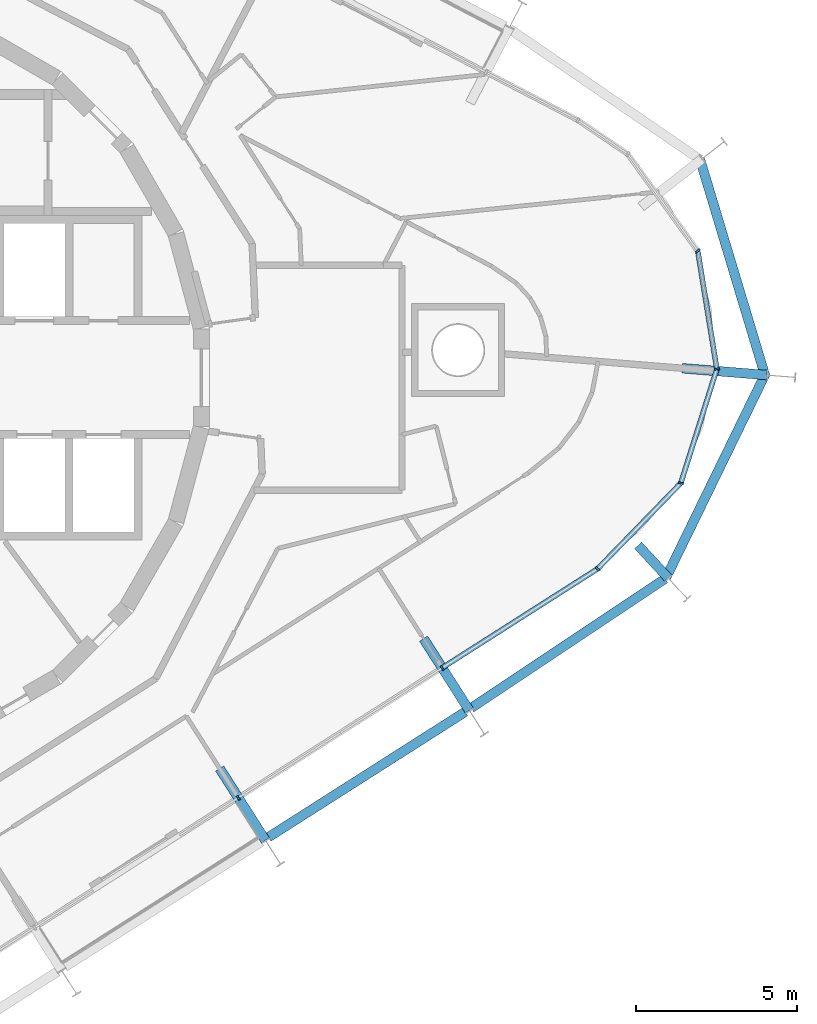
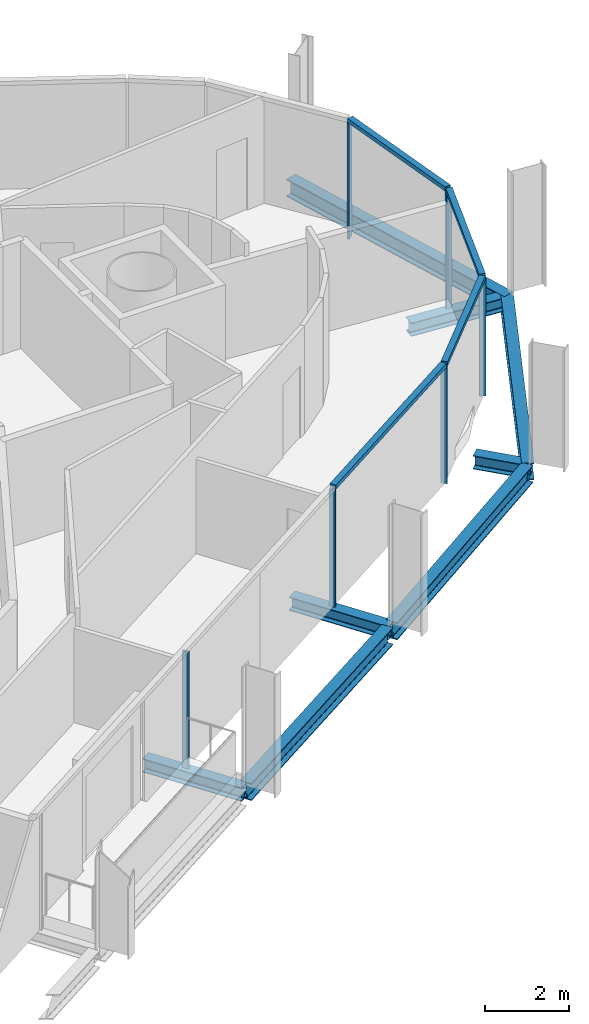
# One storey, part 5 of 18: 10 members, 8 beams, 2 elements without a shape of their own.
"""IFC4 building model written with IfcOpenShell, lengths in metres."""

from ifc_helpers import new_model, si_unit, direction, frame, origin, origin_2d, place, context, subcontext, project, spatial, rectangle, i_section, extrude, material, layer, layer_set, material_profile, profile_set, type_object, element, aggregate, save


model = new_model("IFC4")

# Units and contexts
model_context = context("Model", 3, precision=1e-05, world=origin(), true_north=direction((0.0, 1.0)))
body_context = subcontext(model_context, "Body", "Model", "MODEL_VIEW")
ifc_project = project(units=[si_unit("LENGTHUNIT", "METRE"), si_unit("AREAUNIT", "SQUARE_METRE"), si_unit("VOLUMEUNIT", "CUBIC_METRE"), si_unit("PLANEANGLEUNIT", "RADIAN"), si_unit("MASSUNIT", "GRAM", prefix="KILO")], contexts=[model_context])

# Site, building, storey
site_placement = place(None, origin())
site = spatial("IfcSite", under=ifc_project, at=site_placement, CompositionType="ELEMENT")
building_placement = place(site_placement, origin())
building = spatial("IfcBuilding", under=site, at=building_placement, Name="Spindle Arch Residences", CompositionType="ELEMENT")
storey_placement = place(building_placement, frame((0.0, 0.0, 251.199951171875)))
storey = spatial("IfcBuildingStorey", under=building, at=storey_placement, Name="L64", CompositionType="ELEMENT", Elevation=251.199951171875)

# Curtain wall, members
ifc_material_1 = material(Name="Aluminium bronze unitised frame with tinted glass", Category="aluminium")
ifc_layer_1 = layer(ifc_material_1, 0.159912109375)
ifc_layer_set_1 = layer_set([ifc_layer_1], Name="CW-D corner wall on the fillet arcs")
curtain_wall_type_1 = type_object("IfcCurtainWallType", Name="CW-D corner wall on the fillet arcs", PredefinedType="NOTDEFINED", material=ifc_layer_set_1)
curtain_wall_1_placement = place(storey_placement, origin())
curtain_wall_1 = element("IfcCurtainWall", 1, at=curtain_wall_1_placement, inside=storey, type_object=curtain_wall_type_1, Name="CW-D L64 run 1", PredefinedType="NOTDEFINED")
ifc_material_2 = material(Name="Aluminium bronze anodised mullion", Category="aluminium")
ifc_material_profile_1 = material_profile(ifc_material_2, rectangle(XDim=0.159912109375, YDim=0.06005859375, at=origin_2d()), Name="MU 60x160")
ifc_profile_set_1 = profile_set([ifc_material_profile_1], Name="Aluminium bronze anodised mullion")
member_type_1 = type_object("IfcMemberType", Name="Bronze mullion 60x160", PredefinedType="MULLION", material=ifc_profile_set_1)
member_1_placement = place(storey_placement, frame((19.151611328125, -9.0400390625, -0.3798828125), z_axis=(0.0, 0.0, 1.0), x_axis=(-0.537299608347, 0.843391445813, 0.0)))
member_1 = element("IfcMember", 2, at=member_1_placement, type_object=member_type_1, Name="CW-D mullion 00", PredefinedType="MULLION", context=body_context, shape_type="SweptSolid", body=[
    extrude(rectangle(XDim=0.159912109375, YDim=0.06005859375, at=origin_2d()), origin(), (0.0, 0.0, 1.0), 3.3798828125),
])
member_2_placement = place(storey_placement, frame((23.991455078125, -5.956787109375, -0.3798828125), z_axis=(0.0, 0.0, 1.0), x_axis=(-0.71731607908, 0.696747904692, 0.0)))
member_2 = element("IfcMember", 3, at=member_2_placement, type_object=member_type_1, Name="CW-D mullion 01", PredefinedType="MULLION", context=body_context, shape_type="SweptSolid", body=[
    extrude(rectangle(XDim=0.159912109375, YDim=0.06005859375, at=origin_2d()), origin(), (0.0, 0.0, 1.0), 3.3798828125),
])
member_3_placement = place(storey_placement, frame((26.587890625, -3.283447265625, -0.3798828125), z_axis=(0.0, 0.0, 1.0), x_axis=(-0.953716949352, 0.300705803932, 0.0)))
member_3 = element("IfcMember", 4, at=member_3_placement, type_object=member_type_1, Name="CW-D mullion 02", PredefinedType="MULLION", context=body_context, shape_type="SweptSolid", body=[
    extrude(rectangle(XDim=0.159912109375, YDim=0.06005859375, at=origin_2d()), origin(), (0.0, 0.0, 1.0), 3.3798828125),
])
member_4_placement = place(storey_placement, frame((27.708740234375, 0.270751953125, -0.3798828125), z_axis=(0.0, 0.0, 1.0), x_axis=(-0.987229114298, -0.15930686075, 0.0)))
member_4 = element("IfcMember", 5, at=member_4_placement, type_object=member_type_1, Name="CW-D mullion 03", PredefinedType="MULLION", context=body_context, shape_type="SweptSolid", body=[
    extrude(rectangle(XDim=0.159912109375, YDim=0.06005859375, at=origin_2d()), origin(), (0.0, 0.0, 1.0), 3.3798828125),
])
member_5_placement = place(storey_placement, frame((27.114990234375, 3.949951171875, -0.3798828125), z_axis=(0.0, 0.0, 1.0), x_axis=(-0.810723368962, -0.585429431289, 0.0)))
member_5 = element("IfcMember", 6, at=member_5_placement, type_object=member_type_1, Name="CW-D mullion 04", PredefinedType="MULLION", context=body_context, shape_type="SweptSolid", body=[
    extrude(rectangle(XDim=0.159912109375, YDim=0.06005859375, at=origin_2d()), origin(), (0.0, 0.0, 1.0), 3.3798828125),
])

# Curtain wall, member
ifc_material_3 = material(Name="Aluminium bronze unitised frame with tinted glass", Category="aluminium")
ifc_layer_2 = layer(ifc_material_3, 0.159912109375)
ifc_layer_set_2 = layer_set([ifc_layer_2], Name="CW-C typical residential unitised wall")
curtain_wall_type_2 = type_object("IfcCurtainWallType", Name="CW-C typical residential unitised wall", PredefinedType="NOTDEFINED", material=ifc_layer_set_2)
curtain_wall_2_placement = place(storey_placement, origin())
curtain_wall_2 = element("IfcCurtainWall", 7, at=curtain_wall_2_placement, inside=storey, type_object=curtain_wall_type_2, Name="CW-C L64 run 6", PredefinedType="NOTDEFINED")
member_6_placement = place(storey_placement, frame((12.80078125, -13.0859375, -0.3798828125), z_axis=(0.0, 0.0, 1.0), x_axis=(-0.537299608347, 0.843391445813, 0.0)))
member_6 = element("IfcMember", 8, at=member_6_placement, type_object=member_type_1, Name="CW-C mullion 00", PredefinedType="MULLION", context=body_context, shape_type="SweptSolid", body=[
    extrude(rectangle(XDim=0.159912109375, YDim=0.06005859375, at=origin_2d()), origin(), (0.0, 0.0, 1.0), 3.3798828125),
])
aggregate(curtain_wall_2, [member_6])

# Member
ifc_material_4 = material(Name="Aluminium bronze anodised transom", Category="aluminium")
ifc_material_profile_2 = material_profile(ifc_material_4, rectangle(XDim=0.159912109375, YDim=0.1201171875, at=origin_2d()), Name="TR 120x160")
ifc_profile_set_2 = profile_set([ifc_material_profile_2], Name="Aluminium bronze anodised transom")
member_type_2 = type_object("IfcMemberType", Name="Bronze transom 120x160", PredefinedType="USERDEFINED", material=ifc_profile_set_2)
member_7_placement = place(storey_placement, frame((19.177001953125, -9.02392578125, 3.06005859375), z_axis=(0.843386969226, 0.537306635115, 0.0), x_axis=(-0.537306635115, 0.843386969226, 0.0)))
member_7 = element("IfcMember", 9, at=member_7_placement, type_object=member_type_2, Name="CW-D transom 00", ObjectType="TRANSOM", PredefinedType="USERDEFINED", context=body_context, shape_type="SweptSolid", body=[
    extrude(rectangle(XDim=0.159912109375, YDim=0.1201171875, at=origin_2d()), origin(), (0.0, 0.0, 1.0), 5.678466796875),
])

member_8_placement = place(storey_placement, frame((24.01220703125, -5.93505859375, 3.06005859375), z_axis=(0.696778833098, 0.717286036213, 0.0), x_axis=(-0.717286036213, 0.696778833098, 0.0)))
member_8 = element("IfcMember", 10, at=member_8_placement, type_object=member_type_2, Name="CW-D transom 01", ObjectType="TRANSOM", PredefinedType="USERDEFINED", context=body_context, shape_type="SweptSolid", body=[
    extrude(rectangle(XDim=0.159912109375, YDim=0.1201171875, at=origin_2d()), origin(), (0.0, 0.0, 1.0), 3.666748046875),
])

member_9_placement = place(storey_placement, frame((26.596923828125, -3.2548828125, 3.06005859375), z_axis=(0.300745778047, 0.953704344641, 0.0), x_axis=(-0.953704344641, 0.300745778047, 0.0)))
member_9 = element("IfcMember", 11, at=member_9_placement, type_object=member_type_2, Name="CW-D transom 02", ObjectType="TRANSOM", PredefinedType="USERDEFINED", context=body_context, shape_type="SweptSolid", body=[
    extrude(rectangle(XDim=0.159912109375, YDim=0.1201171875, at=origin_2d()), origin(), (0.0, 0.0, 1.0), 3.666748046875),
])

member_10_placement = place(storey_placement, frame((27.703857421875, 0.300537109375, 3.06005859375), z_axis=(-0.15933292013, 0.987224908804, 0.0), x_axis=(-0.987224908804, -0.15933292013, 0.0)))
member_10 = element("IfcMember", 12, at=member_10_placement, type_object=member_type_2, Name="CW-D transom 03", ObjectType="TRANSOM", PredefinedType="USERDEFINED", context=body_context, shape_type="SweptSolid", body=[
    extrude(rectangle(XDim=0.159912109375, YDim=0.1201171875, at=origin_2d()), origin(), (0.0, 0.0, 1.0), 3.666748046875),
])

aggregate(curtain_wall_1, [member_1, member_7, member_2, member_8, member_3, member_9, member_4, member_10, member_5])

# Beams
ifc_material_5 = material(Name="Steel S460ML, intumescent coating R 120", Category="steel")
ifc_material_profile_3 = material_profile(ifc_material_5, i_section(OverallWidth=0.300048828125, OverallDepth=0.5, WebThickness=0.014404296875, FlangeThickness=0.028076171875, FilletRadius=0.027099609375, at=origin_2d()), Name="HEB 500")
ifc_profile_set_3 = profile_set([ifc_material_profile_3], Name="Steel S460ML, intumescent coating R 120")
beam_type_1 = type_object("IfcBeamType", Name="Exoskeleton edge beam HEB 500", PredefinedType="BEAM", material=ifc_profile_set_3)
beam_1_placement = place(storey_placement, frame((13.73779296875, -14.314697265625, -0.6298828125), z_axis=(0.843406961456, 0.53727525289, 0.0), x_axis=(-0.53727525289, 0.843406961456, 0.0)))
element("IfcBeam", 13, at=beam_1_placement, inside=storey, type_object=beam_type_1, Name="Exoskeleton edge beam 1", PredefinedType="BEAM", context=body_context, shape_type="SweptSolid", body=[
    extrude(i_section(OverallWidth=0.300048828125, OverallDepth=0.5, WebThickness=0.014404296875, FlangeThickness=0.028076171875, FilletRadius=0.027099609375, at=origin_2d()), origin(), (0.0, 0.0, 1.0), 7.27001953125),
])
beam_2_placement = place(storey_placement, frame((20.05224609375, -10.291015625, -0.6298828125), z_axis=(0.83190027786, 0.554925155041, 0.0), x_axis=(-0.554925155041, 0.83190027786, 0.0)))
element("IfcBeam", 14, at=beam_2_placement, inside=storey, type_object=beam_type_1, Name="Exoskeleton edge beam 2", PredefinedType="BEAM", context=body_context, shape_type="SweptSolid", body=[
    extrude(i_section(OverallWidth=0.300048828125, OverallDepth=0.5, WebThickness=0.014404296875, FlangeThickness=0.028076171875, FilletRadius=0.027099609375, at=origin_2d()), origin(), (0.0, 0.0, 1.0), 7.26220703125),
])
for number, where, z_axis, x_axis, name in (
    (15, (26.1201171875, -6.241943359375, -0.6298828125), (0.43802573961, 0.898962430494, 0.0), (-0.898962430494, 0.43802573961, 0.0), "Exoskeleton edge beam 3"),
    (16, (29.22021484375, 0.03076171875, -0.6298828125), (-0.288038985398, 0.957618683449, 0.0), (-0.957618683449, -0.288038985398, 0.0), "Exoskeleton edge beam 4"),
):
    element("IfcBeam", number, at=place(storey_placement, frame(where, z_axis=z_axis, x_axis=x_axis)), inside=storey, type_object=beam_type_1, Name=name, PredefinedType="BEAM", context=body_context, shape_type="SweptSolid", body=[
        extrude(i_section(OverallWidth=0.300048828125, OverallDepth=0.5, WebThickness=0.014404296875, FlangeThickness=0.028076171875, FilletRadius=0.027099609375, at=origin_2d()), origin(), (0.0, 0.0, 1.0), 7.096923828125),
    ])
ifc_material_6 = material(Name="Steel S460ML, intumescent coating R 120", Category="steel")
ifc_material_profile_4 = material_profile(ifc_material_6, i_section(OverallWidth=0.300048828125, OverallDepth=0.389892578125, WebThickness=0.010986328125, FlangeThickness=0.01904296875, FilletRadius=0.027099609375, at=origin_2d()), Name="HEA 400")
ifc_profile_set_4 = profile_set([ifc_material_profile_4], Name="Steel S460ML, intumescent coating R 120")
beam_type_2 = type_object("IfcBeamType", Name="Floor outrigger HEA 400", PredefinedType="BEAM", material=ifc_profile_set_4)
for number, where, z_axis, x_axis, name in (
    (17, (13.644287109375, -14.409912109375, -0.574951171875), (-0.537316570745, 0.843380639334, 0.0), (-0.843380639334, -0.537316570745, 0.0), "Floor outrigger 1"),
    (18, (19.9951171875, -10.364013671875, -0.574951171875), (-0.537316570745, 0.843380639334, 0.0), (-0.843380639334, -0.537316570745, 0.0), "Floor outrigger 2"),
):
    element("IfcBeam", number, at=place(storey_placement, frame(where, z_axis=z_axis, x_axis=x_axis)), inside=storey, type_object=beam_type_2, Name=name, PredefinedType="BEAM", context=body_context, shape_type="SweptSolid", body=[
        extrude(i_section(OverallWidth=0.300048828125, OverallDepth=0.389892578125, WebThickness=0.010986328125, FlangeThickness=0.01904296875, FilletRadius=0.027099609375, at=origin_2d()), origin(), (0.0, 0.0, 1.0), 2.64990234375),
    ])
beam_3_placement = place(storey_placement, frame((26.189697265625, -6.23828125, -0.574951171875), z_axis=(-0.677647212058, 0.735387147011, 0.0), x_axis=(-0.735387147011, -0.677647212058, 0.0)))
element("IfcBeam", 19, at=beam_3_placement, inside=storey, type_object=beam_type_2, Name="Floor outrigger 3", PredefinedType="BEAM", context=body_context, shape_type="SweptSolid", body=[
    extrude(i_section(OverallWidth=0.300048828125, OverallDepth=0.389892578125, WebThickness=0.010986328125, FlangeThickness=0.01904296875, FilletRadius=0.027099609375, at=origin_2d()), origin(), (0.0, 0.0, 1.0), 1.37841796875),
])
beam_4_placement = place(storey_placement, frame((29.268798828125, 0.080810546875, -0.574951171875), z_axis=(-0.996753470089, 0.080514097307, 0.0), x_axis=(-0.080514097307, -0.996753470089, 0.0)))
element("IfcBeam", 20, at=beam_4_placement, inside=storey, type_object=beam_type_2, Name="Floor outrigger 4", PredefinedType="BEAM", context=body_context, shape_type="SweptSolid", body=[
    extrude(i_section(OverallWidth=0.300048828125, OverallDepth=0.389892578125, WebThickness=0.010986328125, FlangeThickness=0.01904296875, FilletRadius=0.027099609375, at=origin_2d()), origin(), (0.0, 0.0, 1.0), 2.650146484375),
])

save(model, "model.ifc")
